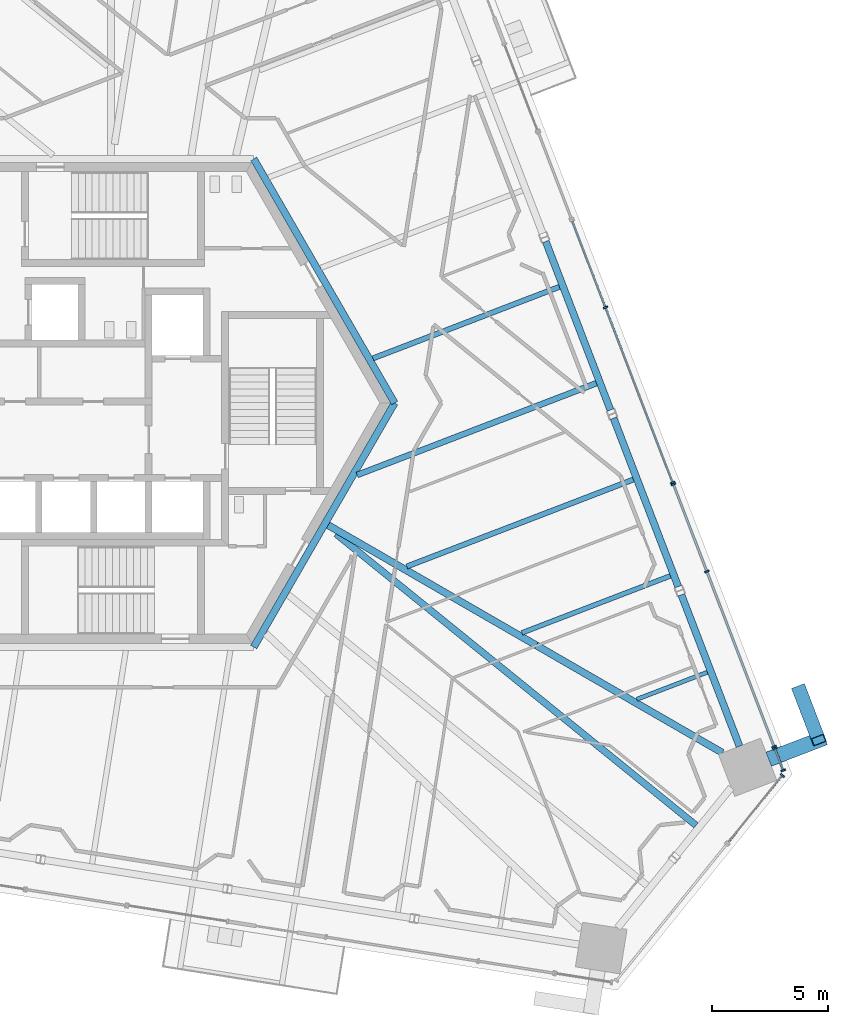
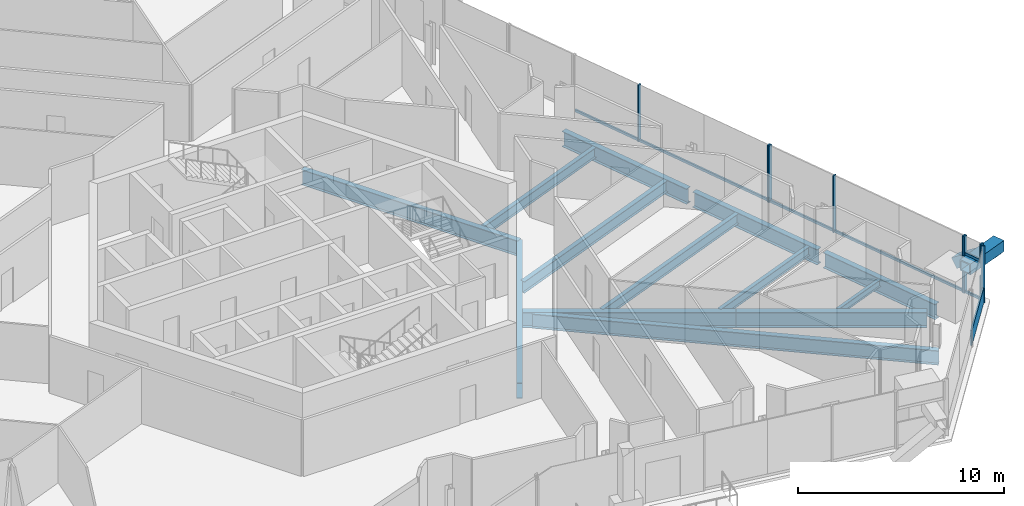
# One storey, part 7 of 23: 19 members, 13 beams, 5 elements without a shape of their own.
"""IFC4 building model written with IfcOpenShell, lengths in metres."""

import ifcopenshell
import ifcopenshell.guid

model = None  # the IFC model being written
_history = None  # IfcOwnerHistory: only IFC2X3 demands one
_inside = {}  # id of a spatial element -> (the spatial element, [elements in it])
_under = {}  # id of a project, library or spatial element -> (it, [spatial elements below it])
_declared = {}  # id of a project -> (the project, [libraries it declares])
_typed = {}  # id of a type object -> (the type object, [elements of that type])
_made_of = {}  # id of a material, layer set ... -> (it, [elements and type objects made of it])


def new_model(schema):
    """Start an empty IFC model of exactly this schema.

    Asked for "IFC4X3", IfcOpenShell would pick the latest addendum, in which some entities
    have other attributes; the version numbers below select the first issue.
    IFC2X3 requires an IfcOwnerHistory on every rooted entity: one is made here for all.
    """
    global model, _history
    if schema == "IFC4X3":
        model = ifcopenshell.file(schema_version=(4, 3, 0, 0))
    else:
        model = ifcopenshell.file(schema=schema)
    _inside.clear()
    _under.clear()
    _declared.clear()
    _typed.clear()
    _made_of.clear()
    _history = None
    if model.schema == "IFC2X3":
        org = make("IfcOrganization", Name="unknown")
        user = make(
            "IfcPersonAndOrganization",
            ThePerson=make("IfcPerson", FamilyName="unknown"),
            TheOrganization=org,
        )
        app = make(
            "IfcApplication",
            ApplicationDeveloper=org,
            Version="unknown",
            ApplicationFullName="unknown",
            ApplicationIdentifier="unknown",
        )
        _history = make(
            "IfcOwnerHistory",
            OwningUser=user,
            OwningApplication=app,
            ChangeAction="ADDED",
            CreationDate=0,
        )
    return model


def make(cls, **values):
    """One entity of the class cls with the attributes given. An attribute that is None is left unset."""
    return model.create_entity(
        cls, **{name: value for name, value in values.items() if value is not None}
    )


def rooted(cls, **values):
    """An entity with a GlobalId (a new one), such as an element, a storey or a relation."""
    return make(cls, GlobalId=ifcopenshell.guid.new(), OwnerHistory=_history, **values)


def si_unit(unit_type, name, prefix=None):
    """IfcSIUnit, for example si_unit("LENGTHUNIT", "METRE", prefix="MILLI")."""
    return make("IfcSIUnit", UnitType=unit_type, Prefix=prefix, Name=name)


def assignment(units):
    """IfcUnitAssignment: the units of a project."""
    return None if units is None else make("IfcUnitAssignment", Units=units)


def point(xyz):
    """IfcCartesianPoint."""
    return None if xyz is None else make("IfcCartesianPoint", Coordinates=xyz)


def direction(xyz):
    """IfcDirection."""
    return None if xyz is None else make("IfcDirection", DirectionRatios=xyz)


def frame(location, z_axis=None, x_axis=None):
    """IfcAxis2Placement3D, a coordinate frame: its origin and axes. An axis left out is left unset."""
    return make(
        "IfcAxis2Placement3D",
        Location=point(location),
        Axis=direction(z_axis),
        RefDirection=direction(x_axis),
    )


def frame_2d(location, x_axis=None):
    """IfcAxis2Placement2D, a coordinate frame in the plane: its origin and x axis."""
    return make(
        "IfcAxis2Placement2D", Location=point(location), RefDirection=direction(x_axis)
    )


def origin():
    """The frame at (0, 0, 0) with its axes left unset."""
    return frame((0.0, 0.0, 0.0))


def origin_2d():
    """The frame at (0, 0) in the plane with its x axis left unset."""
    return frame_2d((0.0, 0.0))


def place(relative_to, where):
    """IfcLocalPlacement: puts the frame where relative to a parent placement (None: the world)."""
    return make(
        "IfcLocalPlacement", PlacementRelTo=relative_to, RelativePlacement=where
    )


def context(
    kind, dimensions, precision=None, world=None, true_north=None, identifier=None
):
    """IfcGeometricRepresentationContext, for example the 3D "Model" context."""
    return make(
        "IfcGeometricRepresentationContext",
        ContextIdentifier=identifier,
        ContextType=kind,
        CoordinateSpaceDimension=dimensions,
        Precision=precision,
        WorldCoordinateSystem=world,
        TrueNorth=true_north,
    )


def subcontext(parent, identifier, kind, view, scale=None):
    """IfcGeometricRepresentationSubContext, for example "Body" below "Model"."""
    return make(
        "IfcGeometricRepresentationSubContext",
        ContextIdentifier=identifier,
        ContextType=kind,
        ParentContext=parent,
        TargetScale=scale,
        TargetView=view,
    )


def project(units=None, contexts=None):
    """IfcProject with its units and contexts."""
    return rooted(
        "IfcProject",
        Name="project",
        RepresentationContexts=contexts,
        UnitsInContext=assignment(units),
    )


def spatial(cls, under=None, at=None, **own):
    """A site, building, storey or space (cls), placed at a placement, below another one or the project."""
    s = rooted(cls, ObjectPlacement=at, **own)
    if under is not None:
        _under.setdefault(under.id(), (under, []))[1].append(s)
    return s


def profile(cls, at=None, kind="AREA", **sizes):
    """A parametric profile (cls). Its sizes go by their IFC names, for example OverallWidth=200.0."""
    return make(cls, ProfileType=kind, Position=at, **sizes)


def rectangle(**sizes):
    """IfcRectangleProfileDef."""
    return profile("IfcRectangleProfileDef", **sizes)


def hollow_rectangle(**sizes):
    """IfcRectangleHollowProfileDef."""
    return profile("IfcRectangleHollowProfileDef", **sizes)


def i_section(**sizes):
    """IfcIShapeProfileDef."""
    return profile("IfcIShapeProfileDef", **sizes)


def extrude(swept, where, along, depth):
    """IfcExtrudedAreaSolid: the profile swept, set in the frame where, extruded along a direction by depth."""
    return make(
        "IfcExtrudedAreaSolid",
        SweptArea=swept,
        Position=where,
        ExtrudedDirection=direction(along),
        Depth=depth,
    )


def shape(context_of_items, identifier, shape_type, items):
    """IfcShapeRepresentation: the items that make up one representation, for example the "Body"."""
    return make(
        "IfcShapeRepresentation",
        ContextOfItems=context_of_items,
        RepresentationIdentifier=identifier,
        RepresentationType=shape_type,
        Items=items,
    )


def source(mapping_origin, context_of_items, identifier, shape_type, items):
    """IfcRepresentationMap: a shape defined once, which mapped items show again and again."""
    return make(
        "IfcRepresentationMap",
        MappingOrigin=mapping_origin,
        MappedRepresentation=shape(context_of_items, identifier, shape_type, items),
    )


def transform(
    local_origin,
    x_axis=None,
    y_axis=None,
    z_axis=None,
    scale=None,
    scale2=None,
    scale3=None,
    uniform=True,
):
    """IfcCartesianTransformationOperator3D, or its non-uniform kind. x_axis, y_axis, z_axis: its Axis1, 2, 3."""
    if uniform:
        return make(
            "IfcCartesianTransformationOperator3D",
            Axis1=direction(x_axis),
            Axis2=direction(y_axis),
            LocalOrigin=point(local_origin),
            Scale=scale,
            Axis3=direction(z_axis),
        )
    return make(
        "IfcCartesianTransformationOperator3DnonUniform",
        Axis1=direction(x_axis),
        Axis2=direction(y_axis),
        LocalOrigin=point(local_origin),
        Scale=scale,
        Axis3=direction(z_axis),
        Scale2=scale2,
        Scale3=scale3,
    )


def mapped(mapping_source, mapping_target):
    """IfcMappedItem: shows the shape of a source again, moved by a transform."""
    return make(
        "IfcMappedItem", MappingSource=mapping_source, MappingTarget=mapping_target
    )


def material(Name=None, Category=None):
    """IfcMaterial."""
    return make("IfcMaterial", Name=Name, Category=Category)


def material_profile(
    of_material, cross_section, Name=None, Category=None, Priority=None
):
    """IfcMaterialProfile: a cross section and its material."""
    return make(
        "IfcMaterialProfile",
        Name=Name,
        Material=of_material,
        Profile=cross_section,
        Priority=Priority,
        Category=Category,
    )


def profile_set(profiles, Name=None, composite=None):
    """IfcMaterialProfileSet."""
    return make(
        "IfcMaterialProfileSet",
        Name=Name,
        MaterialProfiles=profiles,
        CompositeProfile=composite,
    )


def made_of(thing, what):
    """Note that an element or type object is made of a material, layer set ...; save() writes the relation."""
    if what is not None:
        _made_of.setdefault(what.id(), (what, []))[1].append(thing)
    return thing


def type_object(cls, material=None, **own):
    """A type object (cls), such as IfcWallType, which elements share."""
    return made_of(rooted(cls, **own), material)


def element(
    cls,
    number,
    at=None,
    inside=None,
    cuts=None,
    type_object=None,
    material=None,
    context=None,
    identifier="Body",
    shape_type=None,
    held_by="IfcProductDefinitionShape",
    body=None,
    shapes=None,
    **own,
):
    """One element of the class cls, such as IfcWall. Its Tag is "e" and its number.

    at: its placement. inside: the storey or other place that contains it. cuts: it is an
    opening in that element (IfcRelVoidsElement). A single representation is given by context,
    identifier, shape_type and body (its items); several are given by shapes. held_by: the class
    of the entity that holds the representations. save() writes the other relations.
    """
    e = rooted(cls, Tag="e%d" % number, ObjectPlacement=at, **own)
    if body is not None:
        shapes = [shape(context, identifier, shape_type, body)]
    if shapes is not None:
        e.Representation = make(held_by, Representations=shapes)
    if inside is not None:
        _inside.setdefault(inside.id(), (inside, []))[1].append(e)
    if cuts is not None:
        rooted(
            "IfcRelVoidsElement", RelatingBuildingElement=cuts, RelatedOpeningElement=e
        )
    if type_object is not None:
        _typed.setdefault(type_object.id(), (type_object, []))[1].append(e)
    return made_of(e, material)


def aggregate(whole, parts):
    """IfcRelAggregates: a whole, such as a stair, and the parts it consists of."""
    return rooted("IfcRelAggregates", RelatingObject=whole, RelatedObjects=parts)


def save(model, path):
    """Write the relations noted so far, then the file.

    IfcRelAggregates (storeys below a building ...), IfcRelContainedInSpatialStructure (elements
    in a storey), IfcRelDefinesByType, IfcRelAssociatesMaterial and IfcRelDeclares: one each for
    every whole, place, type object, material and project.
    """
    for whole, parts in _under.values():
        aggregate(whole, parts)
    for where, things in _inside.values():
        rooted(
            "IfcRelContainedInSpatialStructure",
            RelatedElements=things,
            RelatingStructure=where,
        )
    for kind, things in _typed.values():
        rooted("IfcRelDefinesByType", RelatedObjects=things, RelatingType=kind)
    for what, things in _made_of.values():
        rooted("IfcRelAssociatesMaterial", RelatedObjects=things, RelatingMaterial=what)
    for by, libraries in _declared.values():
        rooted("IfcRelDeclares", RelatingContext=by, RelatedDefinitions=libraries)
    model.write(path)


model = new_model("IFC4")

# Units and contexts
model_context = context("Model", 3, precision=1e-05, world=origin(), true_north=direction((0.0, 1.0)))
body_context = subcontext(model_context, "Body", "Model", "MODEL_VIEW")
ifc_project = project(units=[si_unit("LENGTHUNIT", "METRE"), si_unit("AREAUNIT", "SQUARE_METRE"), si_unit("VOLUMEUNIT", "CUBIC_METRE"), si_unit("PLANEANGLEUNIT", "RADIAN"), si_unit("MASSUNIT", "GRAM", prefix="KILO")], contexts=[model_context])

# Site, building, storey
site_placement = place(None, origin())
site = spatial("IfcSite", under=ifc_project, at=site_placement, CompositionType="ELEMENT")
building_placement = place(site_placement, origin())
building = spatial("IfcBuilding", under=site, at=building_placement, Name="Triune Harvest Tower", CompositionType="ELEMENT")
storey_placement = place(building_placement, frame((0.0, 0.0, 171.300048828125)))
storey = spatial("IfcBuildingStorey", under=building, at=storey_placement, Name="L44", CompositionType="ELEMENT", Elevation=171.300048828125)

# Curtain wall, member
ifc_material_1 = material(Name="Aluminium bronze anodised", Category="aluminium")
curtain_wall_type_1 = type_object("IfcCurtainWallType", Name="CW-10 Balcony window wall with insulated spandrel infill", PredefinedType="NOTDEFINED", material=ifc_material_1)
curtain_wall_1_placement = place(storey_placement, origin())
curtain_wall_1 = element("IfcCurtainWall", 1, at=curtain_wall_1_placement, inside=storey, type_object=curtain_wall_type_1, Name="CW-10 B4-F1 L44 run 201")
ifc_material_2 = material(Name="Aluminium bronze anodised", Category="aluminium")
ifc_material_profile_1 = material_profile(ifc_material_2, rectangle(XDim=0.090087890625, YDim=0.14990234375, at=origin_2d()), Name="TR-6 transom 90 x 150")
ifc_profile_set_1 = profile_set([ifc_material_profile_1], Name="Aluminium bronze anodised")
member_type_1 = type_object("IfcMemberType", Name="TR-6 transom 90 x 150", PredefinedType="USERDEFINED", material=ifc_profile_set_1)
member_1_placement = place(storey_placement, frame((25.651123046875, -7.24560546875, 0.074951171875), z_axis=(-0.358408947159, 0.933564687955, 0.0), x_axis=(-0.933564687955, -0.358408947159, 0.0)))
member_1 = element("IfcMember", 2, at=member_1_placement, type_object=member_type_1, Name="CW-10 transom B4-F1 201.2", ObjectType="TRANSOM", PredefinedType="USERDEFINED", context=body_context, shape_type="SweptSolid", body=[
    extrude(rectangle(XDim=0.090087890625, YDim=0.14990234375, at=origin_2d()), origin(), (0.0, 0.0, 1.0), 3.96044921875),
])

ifc_material_3 = material(Name="Aluminium bronze anodised", Category="aluminium")
curtain_wall_type_2 = type_object("IfcCurtainWallType", Name="CW-6 Balcony window wall", PredefinedType="NOTDEFINED", material=ifc_material_3)
curtain_wall_2_placement = place(storey_placement, origin())
curtain_wall_2 = element("IfcCurtainWall", 3, at=curtain_wall_2_placement, inside=storey, type_object=curtain_wall_type_2, Name="CW-6 B4-F1 L44 run 1201")
member_2_placement = place(storey_placement, frame((21.272216796875, 4.1611328125, 0.074951171875), z_axis=(-0.358355218371, 0.933585313437, 0.0), x_axis=(-0.933585313437, -0.358355218371, 0.0)))
member_2 = element("IfcMember", 4, at=member_2_placement, type_object=member_type_1, Name="CW-6 transom B4-F1 1201.2", ObjectType="TRANSOM", PredefinedType="USERDEFINED", context=body_context, shape_type="SweptSolid", body=[
    extrude(rectangle(XDim=0.090087890625, YDim=0.14990234375, at=origin_2d()), origin(), (0.0, 0.0, 1.0), 3.960205078125),
])

# Beams
ifc_material_4 = material(Name="Steel ASTM A992 Gr 50", Category="steel")
ifc_material_profile_2 = material_profile(ifc_material_4, i_section(OverallWidth=0.3046875, OverallDepth=0.914306640625, WebThickness=0.0166015625, FlangeThickness=0.02587890625, at=origin_2d()), Name="W36x160")
ifc_profile_set_2 = profile_set([ifc_material_profile_2], Name="Steel ASTM A992 Gr 50")
beam_type_1 = type_object("IfcBeamType", Name="CG-1 Core ring girder W36x160", PredefinedType="BEAM", material=ifc_profile_set_2)
shared_shape_1 = source(origin(), body_context, "Body", "SweptSolid", [
    extrude(i_section(OverallWidth=0.3046875, OverallDepth=0.914306640625, WebThickness=0.0166015625, FlangeThickness=0.02587890625, at=origin_2d()), origin(), (0.0, 0.0, 1.0), 12.176025390625),
])
for number, where, z_axis, x_axis, name in (
    (5, (12.176025390625, 0.0, -0.6171875), (-0.5000099932, 0.866019634131, 0.0), (-0.866019634131, -0.5000099932, 0.0), "beam/L44/CG1"),
    (6, (6.087890625, -10.544677734375, -0.6171875), (0.5000099932, 0.866019634131, 0.0), (-0.866019634131, 0.5000099932, 0.0), "beam/L44/CG6"),
):
    element("IfcBeam", number, at=place(storey_placement, frame(where, z_axis=z_axis, x_axis=x_axis)), inside=storey, type_object=beam_type_1, Name=name, PredefinedType="BEAM", context=body_context, shape_type="MappedRepresentation", body=[
        mapped(shared_shape_1, transform((0.0, 0.0, 0.0), scale=1.0)),
    ])
ifc_material_5 = material(Name="Steel ASTM A992 Gr 50", Category="steel")
ifc_material_profile_3 = material_profile(ifc_material_5, i_section(OverallWidth=0.307373046875, OverallDepth=0.922119140625, WebThickness=0.018310546875, FlangeThickness=0.030029296875, at=origin_2d()), Name="W36x182")
ifc_profile_set_3 = profile_set([ifc_material_profile_3], Name="Steel ASTM A992 Gr 50")
beam_type_2 = type_object("IfcBeamType", Name="HG-2 Hip girder W36x182", PredefinedType="BEAM", material=ifc_profile_set_3)
shared_shape_2 = source(origin(), body_context, "Body", "SweptSolid", [
    extrude(i_section(OverallWidth=0.307373046875, OverallDepth=0.922119140625, WebThickness=0.018310546875, FlangeThickness=0.030029296875, at=origin_2d()), origin(), (0.0, 0.0, 1.0), 10.38623046875),
])
beam_1_placement = place(storey_placement, frame((18.29833984375, -10.47314453125, -0.62109375), z_axis=(-0.866022743272, 0.500004608114, 0.0), x_axis=(-0.500004608114, -0.866022743272, 0.0)))
element("IfcBeam", 7, at=beam_1_placement, inside=storey, type_object=beam_type_2, Name="beam/L44/HG2", PredefinedType="BEAM", context=body_context, shape_type="MappedRepresentation", body=[
    mapped(shared_shape_2, transform((0.0, 0.0, 0.0), scale=1.0)),
])
ifc_material_6 = material(Name="Steel ASTM A992 Gr 50", Category="steel")
ifc_material_profile_4 = material_profile(ifc_material_6, i_section(OverallWidth=0.3046875, OverallDepth=0.914306640625, WebThickness=0.0166015625, FlangeThickness=0.02587890625, at=origin_2d()), Name="W36x160")
ifc_profile_set_4 = profile_set([ifc_material_profile_4], Name="Steel ASTM A992 Gr 50")
beam_type_3 = type_object("IfcBeamType", Name="SB-1 Spandrel beam W36x160", PredefinedType="SPANDREL", material=ifc_profile_set_4)
shared_shape_3 = source(origin(), body_context, "Body", "SweptSolid", [
    extrude(i_section(OverallWidth=0.3046875, OverallDepth=0.914306640625, WebThickness=0.0166015625, FlangeThickness=0.02587890625, at=origin_2d()), origin(), (0.0, 0.0, 1.0), 7.013427734375),
])
beam_2_placement = place(storey_placement, frame((27.07568359375, -14.832275390625, -0.6171875), z_axis=(-0.358372513984, 0.93357867436, 0.0), x_axis=(-0.93357867436, -0.358372513984, 0.0)))
element("IfcBeam", 8, at=beam_2_placement, inside=storey, type_object=beam_type_3, Name="beam/L44/SB1", PredefinedType="SPANDREL", context=body_context, shape_type="MappedRepresentation", body=[
    mapped(shared_shape_3, transform((0.0, 0.0, 0.0), scale=1.0)),
])
shared_shape_4 = source(origin(), body_context, "Body", "SweptSolid", [
    extrude(i_section(OverallWidth=0.3046875, OverallDepth=0.914306640625, WebThickness=0.0166015625, FlangeThickness=0.02587890625, at=origin_2d()), origin(), (0.0, 0.0, 1.0), 7.8017578125),
])
for number, where, z_axis, x_axis, name in (
    (9, (24.428466796875, -7.93603515625, -0.6171875), (-0.358372974677, 0.933578497514, 0.0), (-0.933578497514, -0.358372974677, 0.0), "beam/L44/SB2"),
    (10, (21.498779296875, -0.303955078125, -0.6171875), (-0.358372974677, 0.933578497514, 0.0), (-0.933578497514, -0.358372974677, 0.0), "beam/L44/SB3"),
):
    element("IfcBeam", number, at=place(storey_placement, frame(where, z_axis=z_axis, x_axis=x_axis)), inside=storey, type_object=beam_type_3, Name=name, PredefinedType="SPANDREL", context=body_context, shape_type="MappedRepresentation", body=[
        mapped(shared_shape_4, transform((0.0, 0.0, 0.0), scale=1.0)),
    ])
shared_shape_5 = source(origin(), body_context, "Body", "SweptSolid", [
    extrude(i_section(OverallWidth=0.307373046875, OverallDepth=0.922119140625, WebThickness=0.018310546875, FlangeThickness=0.030029296875, at=origin_2d()), origin(), (0.0, 0.0, 1.0), 9.28369140625),
])
beam_3_placement = place(storey_placement, frame((26.33837890625, -15.114990234375, -0.62109375), z_axis=(-0.86602880926, 0.499994101496, 0.0), x_axis=(-0.499994101496, -0.86602880926, 0.0)))
element("IfcBeam", 11, at=beam_3_placement, inside=storey, type_object=beam_type_2, Name="beam/L44/HG1", PredefinedType="BEAM", context=body_context, shape_type="MappedRepresentation", body=[
    mapped(shared_shape_5, transform((0.0, 0.0, 0.0), scale=1.0)),
])
ifc_material_7 = material(Name="Steel ASTM A992 Gr 50", Category="steel")
ifc_material_profile_5 = material_profile(ifc_material_7, i_section(OverallWidth=0.180908203125, OverallDepth=0.41650390625, WebThickness=0.010986328125, FlangeThickness=0.01806640625, at=origin_2d()), Name="W16x57")
ifc_profile_set_5 = profile_set([ifc_material_profile_5], Name="Steel ASTM A992 Gr 50")
beam_type_4 = type_object("IfcBeamType", Name="JT-1 Floor joist W16x57", PredefinedType="JOIST", material=ifc_profile_set_5)
shared_shape_6 = source(origin(), body_context, "Body", "SweptSolid", [
    extrude(i_section(OverallWidth=0.180908203125, OverallDepth=0.41650390625, WebThickness=0.010986328125, FlangeThickness=0.01806640625, at=origin_2d()), origin(), (0.0, 0.0, 1.0), 3.260986328125),
])
beam_4_placement = place(storey_placement, frame((25.684814453125, -11.634033203125, -0.368408203125), z_axis=(-0.933600075775, -0.35831675723, 0.0), x_axis=(0.35831675723, -0.933600075775, 0.0)))
element("IfcBeam", 12, at=beam_4_placement, inside=storey, type_object=beam_type_4, Name="beam/L44/JT1", PredefinedType="JOIST", context=body_context, shape_type="MappedRepresentation", body=[
    mapped(shared_shape_6, transform((0.0, 0.0, 0.0), scale=1.0)),
])
ifc_material_8 = material(Name="Steel ASTM A992 Gr 50", Category="steel")
ifc_material_profile_6 = material_profile(ifc_material_8, i_section(OverallWidth=0.2099609375, OverallDepth=0.535888671875, WebThickness=0.010986328125, FlangeThickness=0.017333984375, at=origin_2d()), Name="W21x68")
ifc_profile_set_6 = profile_set([ifc_material_profile_6], Name="Steel ASTM A992 Gr 50")
beam_type_5 = type_object("IfcBeamType", Name="JT-2 Floor joist W21x68", PredefinedType="JOIST", material=ifc_profile_set_6)
shared_shape_7 = source(origin(), body_context, "Body", "SweptSolid", [
    extrude(i_section(OverallWidth=0.2099609375, OverallDepth=0.535888671875, WebThickness=0.010986328125, FlangeThickness=0.017333984375, at=origin_2d()), origin(), (0.0, 0.0, 1.0), 6.871826171875),
])
beam_5_placement = place(storey_placement, frame((24.086669921875, -7.47119140625, -0.427978515625), z_axis=(-0.933577992689, -0.358374289769, 0.0), x_axis=(0.358374289769, -0.933577992689, 0.0)))
element("IfcBeam", 13, at=beam_5_placement, inside=storey, type_object=beam_type_5, Name="beam/L44/JT2", PredefinedType="JOIST", context=body_context, shape_type="MappedRepresentation", body=[
    mapped(shared_shape_7, transform((0.0, 0.0, 0.0), scale=1.0)),
])
ifc_material_9 = material(Name="Steel ASTM A992 Gr 50", Category="steel")
ifc_material_profile_7 = material_profile(ifc_material_9, i_section(OverallWidth=0.22900390625, OverallDepth=0.612060546875, WebThickness=0.011962890625, FlangeThickness=0.01953125, at=origin_2d()), Name="W24x84")
ifc_profile_set_7 = profile_set([ifc_material_profile_7], Name="Steel ASTM A992 Gr 50")
beam_type_6 = type_object("IfcBeamType", Name="JT-3 Floor joist W24x84", PredefinedType="JOIST", material=ifc_profile_set_7)
shared_shape_8 = source(origin(), body_context, "Body", "SweptSolid", [
    extrude(i_section(OverallWidth=0.22900390625, OverallDepth=0.612060546875, WebThickness=0.011962890625, FlangeThickness=0.01953125, at=origin_2d()), origin(), (0.0, 0.0, 1.0), 10.482666015625),
])
beam_6_placement = place(storey_placement, frame((22.48876953125, -3.30810546875, -0.466064453125), z_axis=(-0.933574113636, -0.358384394677, 0.0), x_axis=(0.358384394677, -0.933574113636, 0.0)))
element("IfcBeam", 14, at=beam_6_placement, inside=storey, type_object=beam_type_6, Name="beam/L44/JT3", PredefinedType="JOIST", context=body_context, shape_type="MappedRepresentation", body=[
    mapped(shared_shape_8, transform((0.0, 0.0, 0.0), scale=1.0)),
])
ifc_material_10 = material(Name="Steel ASTM A992 Gr 50", Category="steel")
ifc_material_profile_8 = material_profile(ifc_material_10, i_section(OverallWidth=0.253662109375, OverallDepth=0.683349609375, WebThickness=0.012451171875, FlangeThickness=0.01904296875, at=origin_2d()), Name="W27x94")
ifc_profile_set_8 = profile_set([ifc_material_profile_8], Name="Steel ASTM A992 Gr 50")
beam_type_7 = type_object("IfcBeamType", Name="JT-4 Floor joist W27x94", PredefinedType="JOIST", material=ifc_profile_set_8)
shared_shape_9 = source(origin(), body_context, "Body", "SweptSolid", [
    extrude(i_section(OverallWidth=0.253662109375, OverallDepth=0.683349609375, WebThickness=0.012451171875, FlangeThickness=0.01904296875, at=origin_2d()), origin(), (0.0, 0.0, 1.0), 11.071533203125),
])
beam_7_placement = place(storey_placement, frame((20.890869140625, 0.854736328125, -0.501708984375), z_axis=(-0.933585234032, -0.358355425237, 0.0), x_axis=(0.358355425237, -0.933585234032, 0.0)))
element("IfcBeam", 15, at=beam_7_placement, inside=storey, type_object=beam_type_7, Name="beam/L44/JT4", PredefinedType="JOIST", context=body_context, shape_type="MappedRepresentation", body=[
    mapped(shared_shape_9, transform((0.0, 0.0, 0.0), scale=1.0)),
])
shared_shape_10 = source(origin(), body_context, "Body", "SweptSolid", [
    extrude(i_section(OverallWidth=0.22900390625, OverallDepth=0.612060546875, WebThickness=0.011962890625, FlangeThickness=0.01953125, at=origin_2d()), origin(), (0.0, 0.0, 1.0), 8.625732421875),
])
beam_8_placement = place(storey_placement, frame((19.292724609375, 5.017578125, -0.466064453125), z_axis=(-0.933587577512, -0.35834931996, 0.0), x_axis=(0.35834931996, -0.933587577512, 0.0)))
element("IfcBeam", 16, at=beam_8_placement, inside=storey, type_object=beam_type_6, Name="beam/L44/JT5", PredefinedType="JOIST", context=body_context, shape_type="MappedRepresentation", body=[
    mapped(shared_shape_10, transform((0.0, 0.0, 0.0), scale=1.0)),
])
ifc_material_11 = material(Name="Steel ASTM A992 Gr 50", Category="steel")
ifc_material_profile_9 = material_profile(ifc_material_11, i_section(OverallWidth=0.2919921875, OverallDepth=0.8583984375, WebThickness=0.01708984375, FlangeThickness=0.031005859375, at=origin_2d()), Name="W33x169")
ifc_profile_set_9 = profile_set([ifc_material_profile_9], Name="Steel ASTM A992 Gr 50")
beam_type_8 = type_object("IfcBeamType", Name="JT-7 Floor joist W33x169", PredefinedType="JOIST", material=ifc_profile_set_9)
shared_shape_11 = source(origin(), body_context, "Body", "SweptSolid", [
    extrude(i_section(OverallWidth=0.2919921875, OverallDepth=0.8583984375, WebThickness=0.01708984375, FlangeThickness=0.031005859375, at=origin_2d()), origin(), (0.0, 0.0, 1.0), 20.01611328125),
])
beam_9_placement = place(storey_placement, frame((25.198486328125, -18.25, -0.58935546875), z_axis=(-0.777142320664, 0.629324887028, 0.0), x_axis=(-0.629324887028, -0.777142320664, 0.0)))
element("IfcBeam", 17, at=beam_9_placement, inside=storey, type_object=beam_type_8, Name="beam/L44/JT36", PredefinedType="JOIST", context=body_context, shape_type="MappedRepresentation", body=[
    mapped(shared_shape_11, transform((0.0, 0.0, 0.0), scale=1.0)),
])

# Members
ifc_material_12 = material(Name="Steel ASTM A572 Gr 50", Category="steel")
ifc_material_profile_10 = material_profile(ifc_material_12, hollow_rectangle(XDim=0.60009765625, YDim=0.60009765625, WallThickness=0.0400390625, at=origin_2d()), Name="Box 600x600x40")
ifc_profile_set_10 = profile_set([ifc_material_profile_10], Name="Steel ASTM A572 Gr 50")
member_type_2 = type_object("IfcMemberType", Name="BR-2 Brace Box 600x600x40", PredefinedType="BRACE", material=ifc_profile_set_10)
shared_shape_12 = source(origin(), body_context, "Body", "SweptSolid", [
    extrude(hollow_rectangle(XDim=0.60009765625, YDim=0.60009765625, WallThickness=0.0400390625, at=origin_2d()), origin(), (0.0, 0.0, 1.0), 2.832763671875),
])
member_3_placement = place(storey_placement, frame((29.660400390625, -12.388671875, 0.0), z_axis=(0.294754562668, -0.767827017197, 0.568824594623), x_axis=(0.93357498129, 0.358382134472, 0.0)))
element("IfcMember", 18, at=member_3_placement, inside=storey, type_object=member_type_2, Name="brace/B4-F1/d2/10", PredefinedType="BRACE", context=body_context, shape_type="MappedRepresentation", body=[
    mapped(shared_shape_12, transform((0.0, 0.0, 0.0), scale=1.0)),
])
ifc_material_13 = material(Name="Steel ASTM A572 Gr 50", Category="steel")
ifc_material_profile_11 = material_profile(ifc_material_13, hollow_rectangle(XDim=0.64990234375, YDim=0.64990234375, WallThickness=0.070068359375, at=origin_2d()), Name="Box 650x650x70")
ifc_profile_set_11 = profile_set([ifc_material_profile_11], Name="Steel ASTM A572 Gr 50")
member_type_3 = type_object("IfcMemberType", Name="BS-1 Brace stub Box 650x650x70", PredefinedType="STRUT", material=ifc_profile_set_11)
shared_shape_13 = source(origin(), body_context, "Body", "SweptSolid", [
    extrude(hollow_rectangle(XDim=0.64990234375, YDim=0.64990234375, WallThickness=0.070068359375, at=origin_2d()), origin(), (0.0, 0.0, 1.0), 2.59375),
])
member_4_placement = place(storey_placement, frame((28.335205078125, -15.39306640625, 1.875), z_axis=(0.933554081141, 0.358436574005, 0.0), x_axis=(-0.358436574005, 0.933554081141, 0.0)))
element("IfcMember", 19, at=member_4_placement, inside=storey, type_object=member_type_3, Name="brace/B4-F1/stub4", PredefinedType="STRUT", context=body_context, shape_type="MappedRepresentation", body=[
    mapped(shared_shape_13, transform((0.0, 0.0, 0.0), scale=1.0)),
])

# Curtain wall, members
curtain_wall_3_placement = place(storey_placement, origin())
curtain_wall_3 = element("IfcCurtainWall", 20, at=curtain_wall_3_placement, inside=storey, type_object=curtain_wall_type_2, Name="CW-6 B4-F1 L44 run 101")
ifc_material_14 = material(Name="Aluminium bronze anodised", Category="aluminium")
ifc_material_profile_12 = material_profile(ifc_material_14, rectangle(XDim=0.199951171875, YDim=0.074951171875, at=origin_2d()), Name="MU-6 mullion 75 x 200")
ifc_profile_set_12 = profile_set([ifc_material_profile_12], Name="Aluminium bronze anodised")
member_type_4 = type_object("IfcMemberType", Name="MU-6 mullion 75 x 200", PredefinedType="MULLION", material=ifc_profile_set_12)
shared_shape_14 = source(origin(), body_context, "Body", "SweptSolid", [
    extrude(rectangle(XDim=0.199951171875, YDim=0.074951171875, at=origin_2d()), origin(), (0.0, 0.0, 1.0), 1.114990234375),
])
member_5_placement = place(storey_placement, frame((28.963134765625, -15.874267578125, 2.260009765625), z_axis=(0.0, 0.0, 1.0), x_axis=(-0.933603842285, -0.358306943376, 0.0)))
member_5 = element("IfcMember", 21, at=member_5_placement, type_object=member_type_4, Name="CW-6 mullion B4-F1 101.1", PredefinedType="MULLION", context=body_context, shape_type="MappedRepresentation", body=[
    mapped(shared_shape_14, transform((0.0, 0.0, 0.0), scale=1.0)),
])
member_6_placement = place(storey_placement, frame((28.596923828125, -14.920166015625, 2.260009765625), z_axis=(0.0, 0.0, 1.0), x_axis=(-0.933603842285, -0.358306943376, 0.0)))
member_6 = element("IfcMember", 22, at=member_6_placement, type_object=member_type_4, Name="CW-6 mullion B4-F1 101.2", PredefinedType="MULLION", context=body_context, shape_type="MappedRepresentation", body=[
    mapped(shared_shape_14, transform((0.0, 0.0, 0.0), scale=1.0)),
])

curtain_wall_4_placement = place(storey_placement, origin())
curtain_wall_4 = element("IfcCurtainWall", 23, at=curtain_wall_4_placement, inside=storey, type_object=curtain_wall_type_1, Name="CW-10 B4-F1 L44 run 1")
shared_shape_15 = source(origin(), body_context, "Body", "SweptSolid", [
    extrude(rectangle(XDim=0.199951171875, YDim=0.074951171875, at=origin_2d()), origin(), (0.0, 0.0, 1.0), 1.489990234375),
])
member_7_placement = place(storey_placement, frame((28.963134765625, -15.874267578125, 0.0), z_axis=(0.0, 0.0, 1.0), x_axis=(-0.933603842285, -0.358306943376, 0.0)))
member_7 = element("IfcMember", 24, at=member_7_placement, type_object=member_type_4, Name="CW-10 mullion B4-F1 1.1", PredefinedType="MULLION", context=body_context, shape_type="MappedRepresentation", body=[
    mapped(shared_shape_15, transform((0.0, 0.0, 0.0), scale=1.0)),
])
member_8_placement = place(storey_placement, frame((28.596923828125, -14.920166015625, 0.0), z_axis=(0.0, 0.0, 1.0), x_axis=(-0.933603842285, -0.358306943376, 0.0)))
member_8 = element("IfcMember", 25, at=member_8_placement, type_object=member_type_4, Name="CW-10 mullion B4-F1 1.2", PredefinedType="MULLION", context=body_context, shape_type="MappedRepresentation", body=[
    mapped(shared_shape_15, transform((0.0, 0.0, 0.0), scale=1.0)),
])
shared_shape_16 = source(origin(), body_context, "Body", "SweptSolid", [
    extrude(rectangle(XDim=0.090087890625, YDim=0.14990234375, at=origin_2d()), origin(), (0.0, 0.0, 1.0), 0.94677734375),
])
member_9_placement = place(storey_placement, frame((28.94970703125, -15.839111328125, 0.074951171875), z_axis=(-0.35846059468, 0.933544858088, 0.0), x_axis=(-0.933544858088, -0.35846059468, 0.0)))
member_9 = element("IfcMember", 26, at=member_9_placement, type_object=member_type_1, Name="CW-10 transom B4-F1 1.1", ObjectType="TRANSOM", PredefinedType="USERDEFINED", context=body_context, shape_type="MappedRepresentation", body=[
    mapped(shared_shape_16, transform((0.0, 0.0, 0.0), scale=1.0)),
])
aggregate(curtain_wall_4, [member_7, member_8, member_9])

# Member
member_10_placement = place(storey_placement, frame((28.94970703125, -15.839111328125, 2.3349609375), z_axis=(-0.35846059468, 0.933544858088, 0.0), x_axis=(-0.933544858088, -0.35846059468, 0.0)))
member_10 = element("IfcMember", 27, at=member_10_placement, type_object=member_type_1, Name="CW-6 transom B4-F1 101.1", ObjectType="TRANSOM", PredefinedType="USERDEFINED", context=body_context, shape_type="MappedRepresentation", body=[
    mapped(shared_shape_16, transform((0.0, 0.0, 0.0), scale=1.0)),
])

aggregate(curtain_wall_3, [member_5, member_6, member_10])

shared_shape_17 = source(origin(), body_context, "Body", "SweptSolid", [
    extrude(rectangle(XDim=0.199951171875, YDim=0.074951171875, at=origin_2d()), origin(), (0.0, 0.0, 1.0), 3.375),
])
member_11_placement = place(storey_placement, frame((28.570068359375, -14.85009765625, 0.0), z_axis=(0.0, 0.0, 1.0), x_axis=(-0.933579338732, -0.358370783259, 0.0)))
member_11 = element("IfcMember", 28, at=member_11_placement, type_object=member_type_4, Name="CW-10 mullion B4-F1 201.1", PredefinedType="MULLION", context=body_context, shape_type="MappedRepresentation", body=[
    mapped(shared_shape_17, transform((0.0, 0.0, 0.0), scale=1.0)),
])

member_12_placement = place(storey_placement, frame((25.66455078125, -7.28076171875, 0.0), z_axis=(0.0, 0.0, 1.0), x_axis=(-0.933579338732, -0.358370783259, 0.0)))
member_12 = element("IfcMember", 29, at=member_12_placement, type_object=member_type_4, Name="CW-10 mullion B4-F1 201.3", PredefinedType="MULLION", context=body_context, shape_type="MappedRepresentation", body=[
    mapped(shared_shape_17, transform((0.0, 0.0, 0.0), scale=1.0)),
])

member_13_placement = place(storey_placement, frame((24.21826171875, -3.513427734375, 0.0), z_axis=(0.0, 0.0, 1.0), x_axis=(-0.933579338732, -0.358370783259, 0.0)))
member_13 = element("IfcMember", 30, at=member_13_placement, type_object=member_type_4, Name="CW-10 mullion B4-F1 201.4", PredefinedType="MULLION", context=body_context, shape_type="MappedRepresentation", body=[
    mapped(shared_shape_17, transform((0.0, 0.0, 0.0), scale=1.0)),
])

member_14_placement = place(storey_placement, frame((24.19140625, -3.443359375, 0.0), z_axis=(0.0, 0.0, 1.0), x_axis=(-0.933579338732, -0.358370783259, 0.0)))
member_14 = element("IfcMember", 31, at=member_14_placement, type_object=member_type_4, Name="CW-6 mullion B4-F1 1201.1", PredefinedType="MULLION", context=body_context, shape_type="MappedRepresentation", body=[
    mapped(shared_shape_17, transform((0.0, 0.0, 0.0), scale=1.0)),
])

member_15_placement = place(storey_placement, frame((21.285888671875, 4.126220703125, 0.0), z_axis=(0.0, 0.0, 1.0), x_axis=(-0.933579338732, -0.358370783259, 0.0)))
member_15 = element("IfcMember", 32, at=member_15_placement, type_object=member_type_4, Name="CW-6 mullion B4-F1 1201.3", PredefinedType="MULLION", context=body_context, shape_type="MappedRepresentation", body=[
    mapped(shared_shape_17, transform((0.0, 0.0, 0.0), scale=1.0)),
])

shared_shape_18 = source(origin(), body_context, "Body", "SweptSolid", [
    extrude(rectangle(XDim=0.090087890625, YDim=0.14990234375, at=origin_2d()), origin(), (0.0, 0.0, 1.0), 8.032958984375),
])
member_16_placement = place(storey_placement, frame((28.556640625, -14.815185546875, 0.074951171875), z_axis=(-0.35835376657, 0.933585870708, 0.0), x_axis=(-0.933585870708, -0.35835376657, 0.0)))
member_16 = element("IfcMember", 33, at=member_16_placement, type_object=member_type_1, Name="CW-10 transom B4-F1 201.1", ObjectType="TRANSOM", PredefinedType="USERDEFINED", context=body_context, shape_type="MappedRepresentation", body=[
    mapped(shared_shape_18, transform((0.0, 0.0, 0.0), scale=1.0)),
])

aggregate(curtain_wall_1, [member_11, member_12, member_13, member_16, member_1])

member_17_placement = place(storey_placement, frame((24.177978515625, -3.408447265625, 0.074951171875), z_axis=(-0.35835376657, 0.933585870708, 0.0), x_axis=(-0.933585870708, -0.35835376657, 0.0)))
member_17 = element("IfcMember", 34, at=member_17_placement, type_object=member_type_1, Name="CW-6 transom B4-F1 1201.1", ObjectType="TRANSOM", PredefinedType="USERDEFINED", context=body_context, shape_type="MappedRepresentation", body=[
    mapped(shared_shape_18, transform((0.0, 0.0, 0.0), scale=1.0)),
])

aggregate(curtain_wall_2, [member_14, member_15, member_17, member_2])

# Curtain wall, members
ifc_material_15 = material(Name="Aluminium bronze anodised", Category="aluminium")
curtain_wall_type_3 = type_object("IfcCurtainWallType", Name="CW-1 Tower stick curtain wall", PredefinedType="NOTDEFINED", material=ifc_material_15)
curtain_wall_5_placement = place(storey_placement, origin())
curtain_wall_5 = element("IfcCurtainWall", 35, at=curtain_wall_5_placement, inside=storey, type_object=curtain_wall_type_3, Name="CW-1 B4-F6 L44 run 1001")
ifc_material_16 = material(Name="Aluminium bronze anodised", Category="aluminium")
ifc_material_profile_13 = material_profile(ifc_material_16, rectangle(XDim=0.199951171875, YDim=0.074951171875, at=origin_2d()), Name="MU-1 mullion 75 x 200")
ifc_profile_set_13 = profile_set([ifc_material_profile_13], Name="Aluminium bronze anodised")
member_type_5 = type_object("IfcMemberType", Name="MU-1 mullion 75 x 200", PredefinedType="MULLION", material=ifc_profile_set_13)
shared_shape_19 = source(origin(), body_context, "Body", "SweptSolid", [
    extrude(rectangle(XDim=0.199951171875, YDim=0.074951171875, at=origin_2d()), origin(), (0.0, 0.0, 1.0), 3.375),
])
member_18_placement = place(storey_placement, frame((28.9287109375, -16.09228515625, 0.0), z_axis=(0.0, 0.0, 1.0), x_axis=(-0.777149166352, 0.629316433314, 0.0)))
member_18 = element("IfcMember", 36, at=member_18_placement, type_object=member_type_5, Name="CW-1 mullion B4-F6 1001.2", PredefinedType="MULLION", context=body_context, shape_type="MappedRepresentation", body=[
    mapped(shared_shape_19, transform((0.0, 0.0, 0.0), scale=1.0)),
])
ifc_material_17 = material(Name="Aluminium bronze anodised", Category="aluminium")
ifc_material_profile_14 = material_profile(ifc_material_17, rectangle(XDim=0.090087890625, YDim=0.89990234375, at=origin_2d()), Name="TR-1 transom 90 x 900")
ifc_profile_set_14 = profile_set([ifc_material_profile_14], Name="Aluminium bronze anodised")
member_type_6 = type_object("IfcMemberType", Name="TR-1 transom 90 x 900", PredefinedType="USERDEFINED", material=ifc_profile_set_14)
shared_shape_20 = source(origin(), body_context, "Body", "SweptSolid", [
    extrude(rectangle(XDim=0.090087890625, YDim=0.89990234375, at=origin_2d()), origin(), (0.0, 0.0, 1.0), 3.674560546875),
])
member_19_placement = place(storey_placement, frame((26.592529296875, -18.97705078125, 0.449951171875), z_axis=(0.62931863204, 0.777147385872, 0.0), x_axis=(-0.777147385872, 0.62931863204, 0.0)))
member_19 = element("IfcMember", 37, at=member_19_placement, type_object=member_type_6, Name="CW-1 transom B4-F6 1001.1", ObjectType="TRANSOM", PredefinedType="USERDEFINED", context=body_context, shape_type="MappedRepresentation", body=[
    mapped(shared_shape_20, transform((0.0, 0.0, 0.0), scale=1.0)),
])
aggregate(curtain_wall_5, [member_18, member_19])

save(model, "model.ifc")
